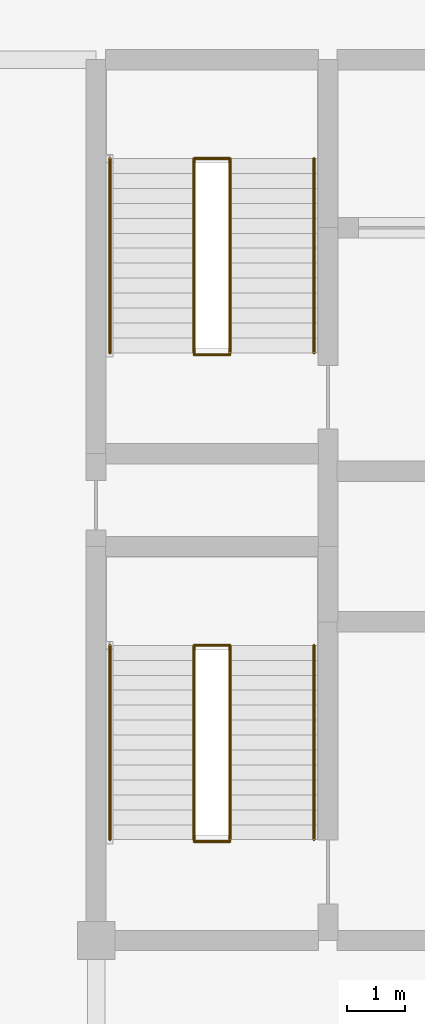
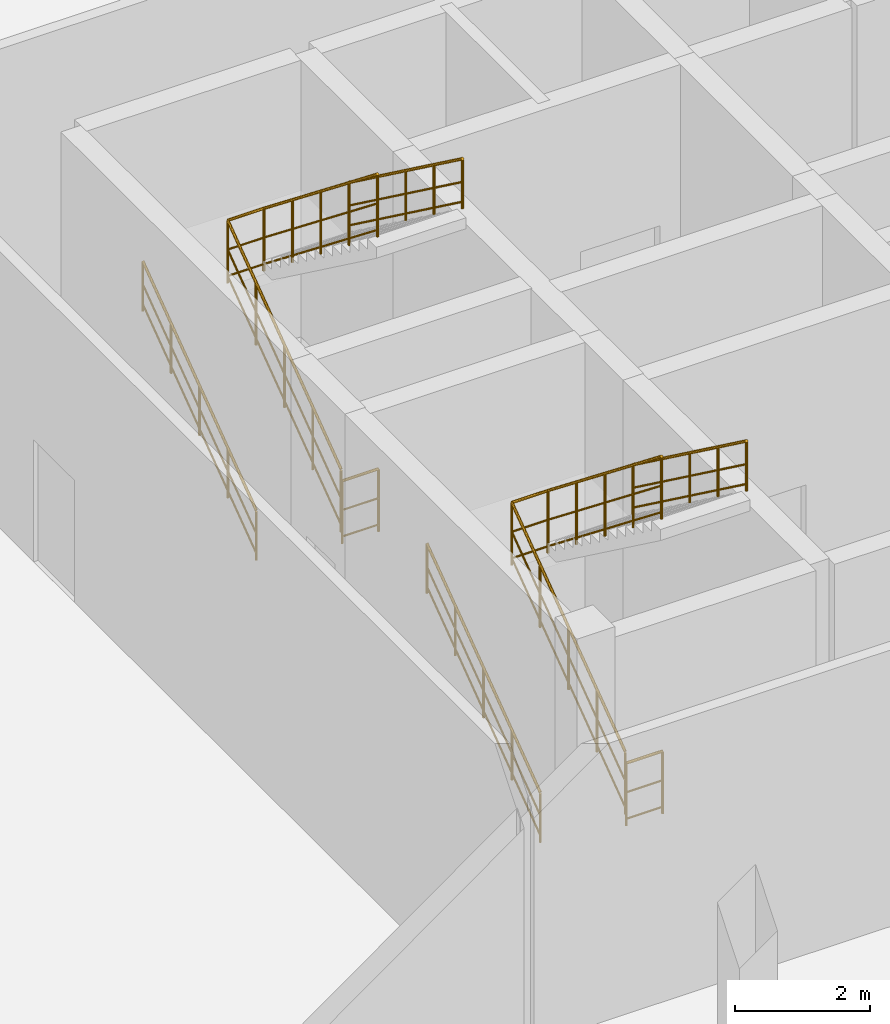
# One storey, part 6 of 6: 8 railings.
"""IFC4 building model written with IfcOpenShell, lengths in metres."""

from ifc_helpers import new_model, si_unit, direction, frame, origin, origin_2d, place, context, subcontext, project, spatial, circle, extrude, material, layer, layer_set, type_object, element, save


model = new_model("IFC4")

# Units and contexts
model_context = context("Model", 3, precision=1e-05, world=origin(), true_north=direction((0.0, 1.0)))
body_context = subcontext(model_context, "Body", "Model", "MODEL_VIEW")
ifc_project = project(units=[si_unit("LENGTHUNIT", "METRE"), si_unit("AREAUNIT", "SQUARE_METRE"), si_unit("VOLUMEUNIT", "CUBIC_METRE"), si_unit("PLANEANGLEUNIT", "RADIAN"), si_unit("MASSUNIT", "GRAM", prefix="KILO")], contexts=[model_context])

# Site, building, storey
site_placement = place(None, origin())
site = spatial("IfcSite", under=ifc_project, at=site_placement, CompositionType="ELEMENT")
building_placement = place(site_placement, origin())
building = spatial("IfcBuilding", under=site, at=building_placement, Name="Keshet Zoharim Tower", CompositionType="ELEMENT")
storey_placement = place(building_placement, frame((0.0, 0.0, 314.699951171875)))
storey = spatial("IfcBuildingStorey", under=building, at=storey_placement, Name="L79", CompositionType="ELEMENT", Elevation=314.699951171875)

# Railings
ifc_material = material(Name="Steel S355", Category="steel")
ifc_layer_1 = layer(ifc_material, 0.050048828125)
ifc_layer_set_1 = layer_set([ifc_layer_1], Name="Steel S355")
railing_type_1 = type_object("IfcRailingType", Name="RL-HND-092", PredefinedType="HANDRAIL", material=ifc_layer_set_1)
railing_1_placement = place(storey_placement, frame((15.239990234375, 24.43994140625, 0.189453125)))
element("IfcRailing", 1, at=railing_1_placement, inside=storey, type_object=railing_type_1, Name="L79 ST-01 Flight 1 Wall Handrail", PredefinedType="HANDRAIL", context=body_context, shape_type="SweptSolid", body=[
    extrude(circle(Radius=0.02392578125, at=origin_2d()), frame((0.0, 0.0, 0.89599609375), z_axis=(0.0, 0.806279965249, 0.591534122125), x_axis=(-1.0, 0.0, 0.0)), (0.0, 0.0, 1.0), 4.159912109375),
    extrude(circle(Radius=0.01611328125, at=origin_2d()), frame((0.0, 0.0, 0.478271484375), z_axis=(0.0, 0.806279965249, 0.591534122125), x_axis=(-1.0, 0.0, 0.0)), (0.0, 0.0, 1.0), 4.159912109375),
    extrude(circle(Radius=0.01611328125, at=origin_2d()), frame((0.0, 0.0, 0.1201171875), z_axis=(0.0, 0.806279965249, 0.591534122125), x_axis=(-1.0, 0.0, 0.0)), (0.0, 0.0, 1.0), 4.159912109375),
    extrude(circle(Radius=0.02099609375, at=origin_2d()), origin(), (0.0, 0.0, 1.0), 0.871826171875),
    extrude(circle(Radius=0.02099609375, at=origin_2d()), frame((0.0, 0.83837890625, 0.615234375)), (0.0, 0.0, 1.0), 0.871826171875),
    extrude(circle(Radius=0.02099609375, at=origin_2d()), frame((0.0, 1.677001953125, 1.23046875)), (0.0, 0.0, 1.0), 0.871826171875),
    extrude(circle(Radius=0.02099609375, at=origin_2d()), frame((0.0, 2.515625, 1.845458984375)), (0.0, 0.0, 1.0), 0.871826171875),
    extrude(circle(Radius=0.02099609375, at=origin_2d()), frame((0.0, 3.35400390625, 2.460693359375)), (0.0, 0.0, 1.0), 0.871826171875),
])
railing_2_placement = place(storey_placement, frame((18.760009765625, 27.7939453125, 2.83935546875)))
element("IfcRailing", 2, at=railing_2_placement, inside=storey, type_object=railing_type_1, Name="L79 ST-01 Flight 2 Wall Handrail", PredefinedType="HANDRAIL", context=body_context, shape_type="SweptSolid", body=[
    extrude(circle(Radius=0.02392578125, at=origin_2d()), frame((0.0, 0.0, 0.89599609375), z_axis=(0.0, -0.806279965249, 0.591534122125), x_axis=(1.0, 0.0, 0.0)), (0.0, 0.0, 1.0), 4.159912109375),
    extrude(circle(Radius=0.01611328125, at=origin_2d()), frame((0.0, 0.0, 0.478271484375), z_axis=(0.0, -0.806279965249, 0.591534122125), x_axis=(1.0, 0.0, 0.0)), (0.0, 0.0, 1.0), 4.159912109375),
    extrude(circle(Radius=0.01611328125, at=origin_2d()), frame((0.0, 0.0, 0.1201171875), z_axis=(0.0, -0.806279965249, 0.591534122125), x_axis=(1.0, 0.0, 0.0)), (0.0, 0.0, 1.0), 4.159912109375),
    extrude(circle(Radius=0.02099609375, at=origin_2d()), origin(), (0.0, 0.0, 1.0), 0.871826171875),
    extrude(circle(Radius=0.02099609375, at=origin_2d()), frame((0.0, -0.83837890625, 0.615234375)), (0.0, 0.0, 1.0), 0.871826171875),
    extrude(circle(Radius=0.02099609375, at=origin_2d()), frame((0.0, -1.677001953125, 1.23046875)), (0.0, 0.0, 1.0), 0.871826171875),
    extrude(circle(Radius=0.02099609375, at=origin_2d()), frame((0.0, -2.515625, 1.845458984375)), (0.0, 0.0, 1.0), 0.871826171875),
    extrude(circle(Radius=0.02099609375, at=origin_2d()), frame((0.0, -3.35400390625, 2.460693359375)), (0.0, 0.0, 1.0), 0.871826171875),
])
railing_3_placement = place(storey_placement, frame((15.239990234375, 32.840087890625, 0.189453125)))
element("IfcRailing", 3, at=railing_3_placement, inside=storey, type_object=railing_type_1, Name="L79 ST-02 Flight 1 Wall Handrail", PredefinedType="HANDRAIL", context=body_context, shape_type="SweptSolid", body=[
    extrude(circle(Radius=0.02392578125, at=origin_2d()), frame((0.0, 0.0, 0.89599609375), z_axis=(0.0, 0.806279965249, 0.591534122125), x_axis=(-1.0, 0.0, 0.0)), (0.0, 0.0, 1.0), 4.159912109375),
    extrude(circle(Radius=0.01611328125, at=origin_2d()), frame((0.0, 0.0, 0.478271484375), z_axis=(0.0, 0.806279965249, 0.591534122125), x_axis=(-1.0, 0.0, 0.0)), (0.0, 0.0, 1.0), 4.159912109375),
    extrude(circle(Radius=0.01611328125, at=origin_2d()), frame((0.0, 0.0, 0.1201171875), z_axis=(0.0, 0.806279965249, 0.591534122125), x_axis=(-1.0, 0.0, 0.0)), (0.0, 0.0, 1.0), 4.159912109375),
    extrude(circle(Radius=0.02099609375, at=origin_2d()), origin(), (0.0, 0.0, 1.0), 0.871826171875),
    extrude(circle(Radius=0.02099609375, at=origin_2d()), frame((0.0, 0.83837890625, 0.615234375)), (0.0, 0.0, 1.0), 0.871826171875),
    extrude(circle(Radius=0.02099609375, at=origin_2d()), frame((0.0, 1.677001953125, 1.23046875)), (0.0, 0.0, 1.0), 0.871826171875),
    extrude(circle(Radius=0.02099609375, at=origin_2d()), frame((0.0, 2.515625, 1.845458984375)), (0.0, 0.0, 1.0), 0.871826171875),
    extrude(circle(Radius=0.02099609375, at=origin_2d()), frame((0.0, 3.35400390625, 2.460693359375)), (0.0, 0.0, 1.0), 0.871826171875),
])
railing_4_placement = place(storey_placement, frame((18.760009765625, 36.194091796875, 2.83935546875)))
element("IfcRailing", 4, at=railing_4_placement, inside=storey, type_object=railing_type_1, Name="L79 ST-02 Flight 2 Wall Handrail", PredefinedType="HANDRAIL", context=body_context, shape_type="SweptSolid", body=[
    extrude(circle(Radius=0.02392578125, at=origin_2d()), frame((0.0, 0.0, 0.89599609375), z_axis=(0.0, -0.806279965249, 0.591534122125), x_axis=(1.0, 0.0, 0.0)), (0.0, 0.0, 1.0), 4.159912109375),
    extrude(circle(Radius=0.01611328125, at=origin_2d()), frame((0.0, 0.0, 0.478271484375), z_axis=(0.0, -0.806279965249, 0.591534122125), x_axis=(1.0, 0.0, 0.0)), (0.0, 0.0, 1.0), 4.159912109375),
    extrude(circle(Radius=0.01611328125, at=origin_2d()), frame((0.0, 0.0, 0.1201171875), z_axis=(0.0, -0.806279965249, 0.591534122125), x_axis=(1.0, 0.0, 0.0)), (0.0, 0.0, 1.0), 4.159912109375),
    extrude(circle(Radius=0.02099609375, at=origin_2d()), origin(), (0.0, 0.0, 1.0), 0.871826171875),
    extrude(circle(Radius=0.02099609375, at=origin_2d()), frame((0.0, -0.83837890625, 0.615234375)), (0.0, 0.0, 1.0), 0.871826171875),
    extrude(circle(Radius=0.02099609375, at=origin_2d()), frame((0.0, -1.677001953125, 1.23046875)), (0.0, 0.0, 1.0), 0.871826171875),
    extrude(circle(Radius=0.02099609375, at=origin_2d()), frame((0.0, -2.515625, 1.845458984375)), (0.0, 0.0, 1.0), 0.871826171875),
    extrude(circle(Radius=0.02099609375, at=origin_2d()), frame((0.0, -3.35400390625, 2.460693359375)), (0.0, 0.0, 1.0), 0.871826171875),
])
ifc_layer_2 = layer(ifc_material, 0.06005859375)
ifc_layer_set_2 = layer_set([ifc_layer_2], Name="Steel S355")
railing_type_2 = type_object("IfcRailingType", Name="RL-STG-115", PredefinedType="GUARDRAIL", material=ifc_layer_set_2)
railing_5_placement = place(storey_placement, frame((16.68994140625, 24.43994140625, 0.189453125)))
element("IfcRailing", 5, at=railing_5_placement, inside=storey, type_object=railing_type_2, Name="L79 ST-01 Inner Well Guardrail", PredefinedType="GUARDRAIL", context=body_context, shape_type="SweptSolid", body=[
    extrude(circle(Radius=0.02392578125, at=origin_2d()), frame((0.0, 0.0, 1.1259765625), z_axis=(0.0, 0.806279965249, 0.591534122125), x_axis=(-1.0, 0.0, 0.0)), (0.0, 0.0, 1.0), 4.159912109375),
    extrude(circle(Radius=0.01611328125, at=origin_2d()), frame((0.0, 0.0, 0.597900390625), z_axis=(0.0, 0.806279965249, 0.591534122125), x_axis=(-1.0, 0.0, 0.0)), (0.0, 0.0, 1.0), 4.159912109375),
    extrude(circle(Radius=0.01611328125, at=origin_2d()), frame((0.0, 0.0, 0.1201171875), z_axis=(0.0, 0.806279965249, 0.591534122125), x_axis=(-1.0, 0.0, 0.0)), (0.0, 0.0, 1.0), 4.159912109375),
    extrude(circle(Radius=0.02392578125, at=origin_2d()), frame((0.0, 3.35400390625, 3.58642578125), z_axis=(1.0, 0.0, 0.0), x_axis=(0.0, 1.0, 0.0)), (0.0, 0.0, 1.0), 0.6201171875),
    extrude(circle(Radius=0.01611328125, at=origin_2d()), frame((0.0, 3.35400390625, 3.05859375), z_axis=(1.0, 0.0, 0.0), x_axis=(0.0, 1.0, 0.0)), (0.0, 0.0, 1.0), 0.6201171875),
    extrude(circle(Radius=0.01611328125, at=origin_2d()), frame((0.0, 3.35400390625, 2.580810546875), z_axis=(1.0, 0.0, 0.0), x_axis=(0.0, 1.0, 0.0)), (0.0, 0.0, 1.0), 0.6201171875),
    extrude(circle(Radius=0.02392578125, at=origin_2d()), frame((0.6201171875, 3.35400390625, 3.58642578125), z_axis=(0.0, -0.784654639682, 0.619933138674), x_axis=(1.0, 0.0, 0.0)), (0.0, 0.0, 1.0), 4.2744140625),
    extrude(circle(Radius=0.01611328125, at=origin_2d()), frame((0.6201171875, 3.35400390625, 3.05859375), z_axis=(0.0, -0.784654639682, 0.619933138674), x_axis=(1.0, 0.0, 0.0)), (0.0, 0.0, 1.0), 4.2744140625),
    extrude(circle(Radius=0.01611328125, at=origin_2d()), frame((0.6201171875, 3.35400390625, 2.580810546875), z_axis=(0.0, -0.784654639682, 0.619933138674), x_axis=(1.0, 0.0, 0.0)), (0.0, 0.0, 1.0), 4.2744140625),
    extrude(circle(Radius=0.02099609375, at=origin_2d()), origin(), (0.0, 0.0, 1.0), 1.101806640625),
    extrude(circle(Radius=0.02099609375, at=origin_2d()), frame((0.0, 0.83837890625, 0.615234375)), (0.0, 0.0, 1.0), 1.101806640625),
    extrude(circle(Radius=0.02099609375, at=origin_2d()), frame((0.0, 1.677001953125, 1.23046875)), (0.0, 0.0, 1.0), 1.101806640625),
    extrude(circle(Radius=0.02099609375, at=origin_2d()), frame((0.0, 2.515625, 1.845458984375)), (0.0, 0.0, 1.0), 1.101806640625),
    extrude(circle(Radius=0.02099609375, at=origin_2d()), frame((0.0, 3.35400390625, 2.460693359375)), (0.0, 0.0, 1.0), 1.101806640625),
    extrude(circle(Radius=0.02099609375, at=origin_2d()), frame((0.6201171875, 3.35400390625, 2.460693359375)), (0.0, 0.0, 1.0), 1.101806640625),
    extrude(circle(Radius=0.02099609375, at=origin_2d()), frame((0.6201171875, 2.515625, 3.123046875)), (0.0, 0.0, 1.0), 1.101806640625),
    extrude(circle(Radius=0.02099609375, at=origin_2d()), frame((0.6201171875, 1.677001953125, 3.78564453125)), (0.0, 0.0, 1.0), 1.101806640625),
    extrude(circle(Radius=0.02099609375, at=origin_2d()), frame((0.6201171875, 0.83837890625, 4.4482421875)), (0.0, 0.0, 1.0), 1.101806640625),
    extrude(circle(Radius=0.02099609375, at=origin_2d()), frame((0.6201171875, 0.0, 5.110595703125)), (0.0, 0.0, 1.0), 1.101806640625),
])
railing_6_placement = place(storey_placement, frame((16.68994140625, 24.409912109375, 0.0)))
element("IfcRailing", 6, at=railing_6_placement, inside=storey, type_object=railing_type_2, Name="L79 ST-01 Stairwell Floor Guardrail", PredefinedType="GUARDRAIL", context=body_context, shape_type="SweptSolid", body=[
    extrude(circle(Radius=0.02392578125, at=origin_2d()), frame((0.0, 0.0, 1.1259765625), z_axis=(1.0, 0.0, 0.0), x_axis=(0.0, 1.0, 0.0)), (0.0, 0.0, 1.0), 0.6201171875),
    extrude(circle(Radius=0.01611328125, at=origin_2d()), frame((0.0, 0.0, 0.597900390625), z_axis=(1.0, 0.0, 0.0), x_axis=(0.0, 1.0, 0.0)), (0.0, 0.0, 1.0), 0.6201171875),
    extrude(circle(Radius=0.01611328125, at=origin_2d()), frame((0.0, 0.0, 0.1201171875), z_axis=(1.0, 0.0, 0.0), x_axis=(0.0, 1.0, 0.0)), (0.0, 0.0, 1.0), 0.6201171875),
    extrude(circle(Radius=0.02099609375, at=origin_2d()), origin(), (0.0, 0.0, 1.0), 1.101806640625),
    extrude(circle(Radius=0.02099609375, at=origin_2d()), frame((0.6201171875, 0.0, 0.0)), (0.0, 0.0, 1.0), 1.101806640625),
])
railing_7_placement = place(storey_placement, frame((16.68994140625, 32.840087890625, 0.189453125)))
element("IfcRailing", 7, at=railing_7_placement, inside=storey, type_object=railing_type_2, Name="L79 ST-02 Inner Well Guardrail", PredefinedType="GUARDRAIL", context=body_context, shape_type="SweptSolid", body=[
    extrude(circle(Radius=0.02392578125, at=origin_2d()), frame((0.0, 0.0, 1.1259765625), z_axis=(0.0, 0.806279965249, 0.591534122125), x_axis=(-1.0, 0.0, 0.0)), (0.0, 0.0, 1.0), 4.159912109375),
    extrude(circle(Radius=0.01611328125, at=origin_2d()), frame((0.0, 0.0, 0.597900390625), z_axis=(0.0, 0.806279965249, 0.591534122125), x_axis=(-1.0, 0.0, 0.0)), (0.0, 0.0, 1.0), 4.159912109375),
    extrude(circle(Radius=0.01611328125, at=origin_2d()), frame((0.0, 0.0, 0.1201171875), z_axis=(0.0, 0.806279965249, 0.591534122125), x_axis=(-1.0, 0.0, 0.0)), (0.0, 0.0, 1.0), 4.159912109375),
    extrude(circle(Radius=0.02392578125, at=origin_2d()), frame((0.0, 3.35400390625, 3.58642578125), z_axis=(1.0, 0.0, 0.0), x_axis=(0.0, 1.0, 0.0)), (0.0, 0.0, 1.0), 0.6201171875),
    extrude(circle(Radius=0.01611328125, at=origin_2d()), frame((0.0, 3.35400390625, 3.05859375), z_axis=(1.0, 0.0, 0.0), x_axis=(0.0, 1.0, 0.0)), (0.0, 0.0, 1.0), 0.6201171875),
    extrude(circle(Radius=0.01611328125, at=origin_2d()), frame((0.0, 3.35400390625, 2.580810546875), z_axis=(1.0, 0.0, 0.0), x_axis=(0.0, 1.0, 0.0)), (0.0, 0.0, 1.0), 0.6201171875),
    extrude(circle(Radius=0.02392578125, at=origin_2d()), frame((0.6201171875, 3.35400390625, 3.58642578125), z_axis=(0.0, -0.784654639682, 0.619933138674), x_axis=(1.0, 0.0, 0.0)), (0.0, 0.0, 1.0), 4.2744140625),
    extrude(circle(Radius=0.01611328125, at=origin_2d()), frame((0.6201171875, 3.35400390625, 3.05859375), z_axis=(0.0, -0.784654639682, 0.619933138674), x_axis=(1.0, 0.0, 0.0)), (0.0, 0.0, 1.0), 4.2744140625),
    extrude(circle(Radius=0.01611328125, at=origin_2d()), frame((0.6201171875, 3.35400390625, 2.580810546875), z_axis=(0.0, -0.784654639682, 0.619933138674), x_axis=(1.0, 0.0, 0.0)), (0.0, 0.0, 1.0), 4.2744140625),
    extrude(circle(Radius=0.02099609375, at=origin_2d()), origin(), (0.0, 0.0, 1.0), 1.101806640625),
    extrude(circle(Radius=0.02099609375, at=origin_2d()), frame((0.0, 0.83837890625, 0.615234375)), (0.0, 0.0, 1.0), 1.101806640625),
    extrude(circle(Radius=0.02099609375, at=origin_2d()), frame((0.0, 1.677001953125, 1.23046875)), (0.0, 0.0, 1.0), 1.101806640625),
    extrude(circle(Radius=0.02099609375, at=origin_2d()), frame((0.0, 2.515625, 1.845458984375)), (0.0, 0.0, 1.0), 1.101806640625),
    extrude(circle(Radius=0.02099609375, at=origin_2d()), frame((0.0, 3.35400390625, 2.460693359375)), (0.0, 0.0, 1.0), 1.101806640625),
    extrude(circle(Radius=0.02099609375, at=origin_2d()), frame((0.6201171875, 3.35400390625, 2.460693359375)), (0.0, 0.0, 1.0), 1.101806640625),
    extrude(circle(Radius=0.02099609375, at=origin_2d()), frame((0.6201171875, 2.515625, 3.123046875)), (0.0, 0.0, 1.0), 1.101806640625),
    extrude(circle(Radius=0.02099609375, at=origin_2d()), frame((0.6201171875, 1.677001953125, 3.78564453125)), (0.0, 0.0, 1.0), 1.101806640625),
    extrude(circle(Radius=0.02099609375, at=origin_2d()), frame((0.6201171875, 0.83837890625, 4.4482421875)), (0.0, 0.0, 1.0), 1.101806640625),
    extrude(circle(Radius=0.02099609375, at=origin_2d()), frame((0.6201171875, 0.0, 5.110595703125)), (0.0, 0.0, 1.0), 1.101806640625),
])
railing_8_placement = place(storey_placement, frame((16.68994140625, 32.81005859375, 0.0)))
element("IfcRailing", 8, at=railing_8_placement, inside=storey, type_object=railing_type_2, Name="L79 ST-02 Stairwell Floor Guardrail", PredefinedType="GUARDRAIL", context=body_context, shape_type="SweptSolid", body=[
    extrude(circle(Radius=0.02392578125, at=origin_2d()), frame((0.0, 0.0, 1.1259765625), z_axis=(1.0, 0.0, 0.0), x_axis=(0.0, 1.0, 0.0)), (0.0, 0.0, 1.0), 0.6201171875),
    extrude(circle(Radius=0.01611328125, at=origin_2d()), frame((0.0, 0.0, 0.597900390625), z_axis=(1.0, 0.0, 0.0), x_axis=(0.0, 1.0, 0.0)), (0.0, 0.0, 1.0), 0.6201171875),
    extrude(circle(Radius=0.01611328125, at=origin_2d()), frame((0.0, 0.0, 0.1201171875), z_axis=(1.0, 0.0, 0.0), x_axis=(0.0, 1.0, 0.0)), (0.0, 0.0, 1.0), 0.6201171875),
    extrude(circle(Radius=0.02099609375, at=origin_2d()), origin(), (0.0, 0.0, 1.0), 1.101806640625),
    extrude(circle(Radius=0.02099609375, at=origin_2d()), frame((0.6201171875, 0.0, 0.0)), (0.0, 0.0, 1.0), 1.101806640625),
])

save(model, "model.ifc")
